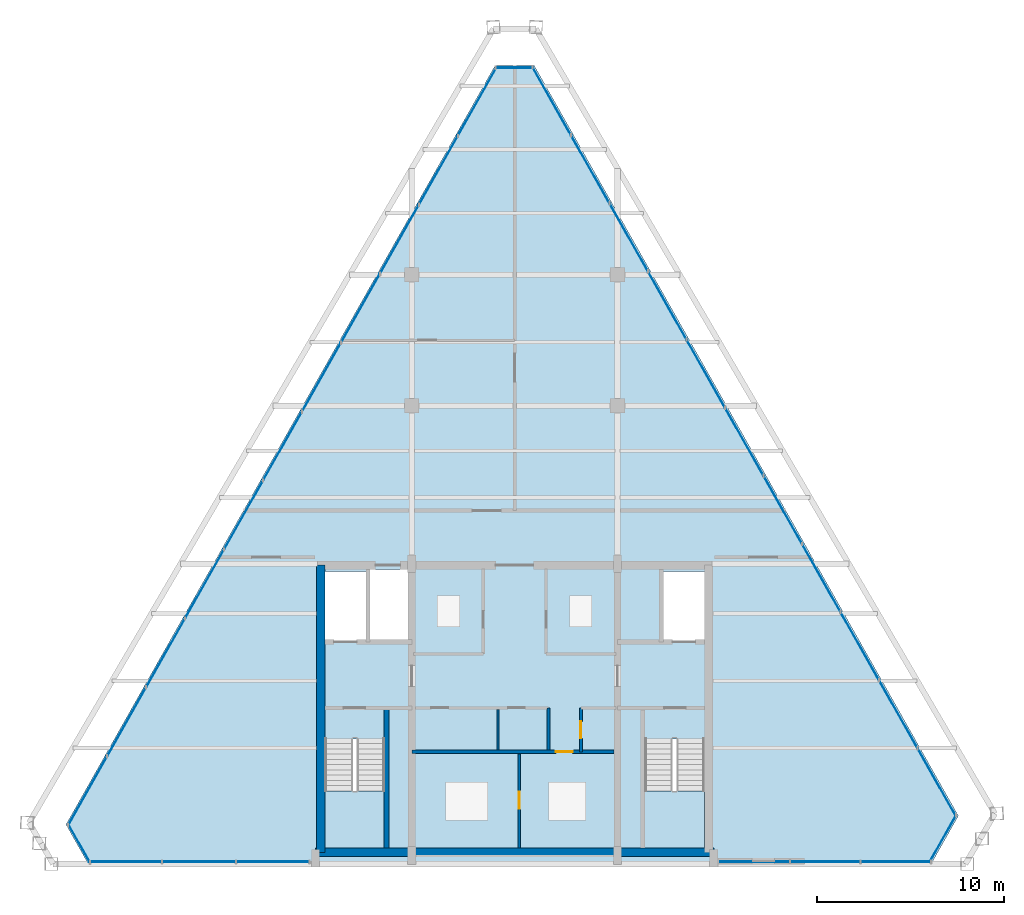
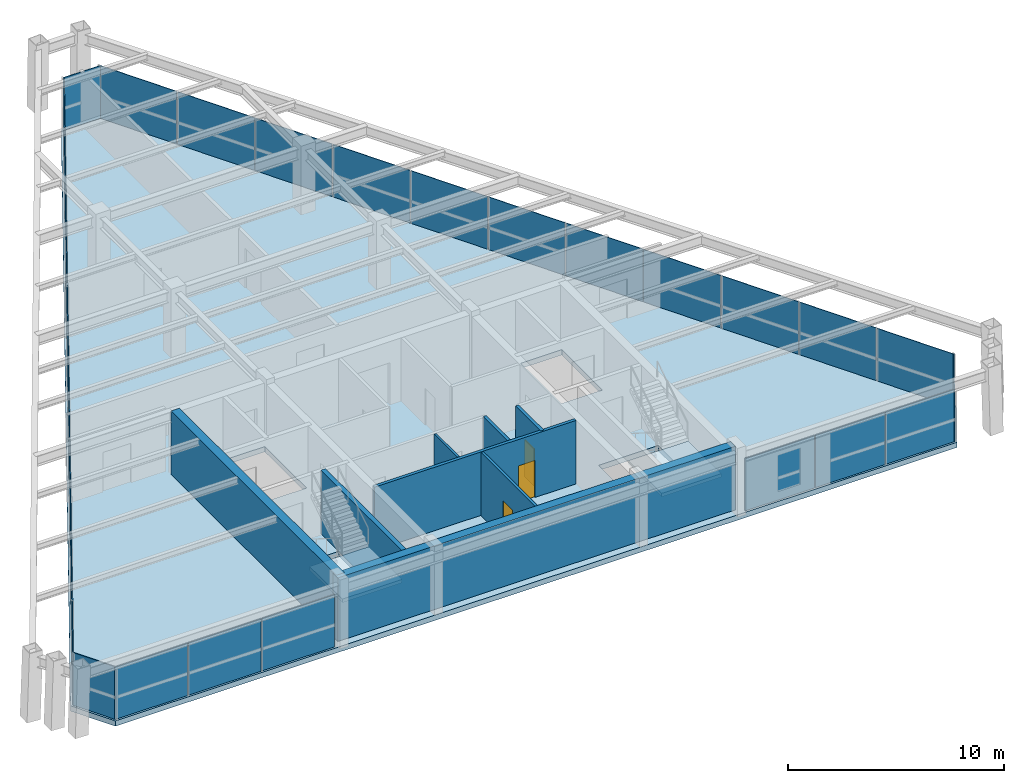
# One storey, part 9 of 12: 31 plates, 8 walls, 3 doors, 3 slabs, 3 openings, 9 elements without a shape of their own.
"""IFC4 building model written with IfcOpenShell, lengths in metres."""

import ifcopenshell
import ifcopenshell.guid

model = None  # the IFC model being written
_history = None  # IfcOwnerHistory: only IFC2X3 demands one
_inside = {}  # id of a spatial element -> (the spatial element, [elements in it])
_under = {}  # id of a project, library or spatial element -> (it, [spatial elements below it])
_declared = {}  # id of a project -> (the project, [libraries it declares])
_typed = {}  # id of a type object -> (the type object, [elements of that type])
_made_of = {}  # id of a material, layer set ... -> (it, [elements and type objects made of it])


def new_model(schema):
    """Start an empty IFC model of exactly this schema.

    Asked for "IFC4X3", IfcOpenShell would pick the latest addendum, in which some entities
    have other attributes; the version numbers below select the first issue.
    IFC2X3 requires an IfcOwnerHistory on every rooted entity: one is made here for all.
    """
    global model, _history
    if schema == "IFC4X3":
        model = ifcopenshell.file(schema_version=(4, 3, 0, 0))
    else:
        model = ifcopenshell.file(schema=schema)
    _inside.clear()
    _under.clear()
    _declared.clear()
    _typed.clear()
    _made_of.clear()
    _history = None
    if model.schema == "IFC2X3":
        org = make("IfcOrganization", Name="unknown")
        user = make(
            "IfcPersonAndOrganization",
            ThePerson=make("IfcPerson", FamilyName="unknown"),
            TheOrganization=org,
        )
        app = make(
            "IfcApplication",
            ApplicationDeveloper=org,
            Version="unknown",
            ApplicationFullName="unknown",
            ApplicationIdentifier="unknown",
        )
        _history = make(
            "IfcOwnerHistory",
            OwningUser=user,
            OwningApplication=app,
            ChangeAction="ADDED",
            CreationDate=0,
        )
    return model


def make(cls, **values):
    """One entity of the class cls with the attributes given. An attribute that is None is left unset."""
    return model.create_entity(
        cls, **{name: value for name, value in values.items() if value is not None}
    )


def rooted(cls, **values):
    """An entity with a GlobalId (a new one), such as an element, a storey or a relation."""
    return make(cls, GlobalId=ifcopenshell.guid.new(), OwnerHistory=_history, **values)


def si_unit(unit_type, name, prefix=None):
    """IfcSIUnit, for example si_unit("LENGTHUNIT", "METRE", prefix="MILLI")."""
    return make("IfcSIUnit", UnitType=unit_type, Prefix=prefix, Name=name)


def assignment(units):
    """IfcUnitAssignment: the units of a project."""
    return None if units is None else make("IfcUnitAssignment", Units=units)


def point(xyz):
    """IfcCartesianPoint."""
    return None if xyz is None else make("IfcCartesianPoint", Coordinates=xyz)


def direction(xyz):
    """IfcDirection."""
    return None if xyz is None else make("IfcDirection", DirectionRatios=xyz)


def frame(location, z_axis=None, x_axis=None):
    """IfcAxis2Placement3D, a coordinate frame: its origin and axes. An axis left out is left unset."""
    return make(
        "IfcAxis2Placement3D",
        Location=point(location),
        Axis=direction(z_axis),
        RefDirection=direction(x_axis),
    )


def frame_2d(location, x_axis=None):
    """IfcAxis2Placement2D, a coordinate frame in the plane: its origin and x axis."""
    return make(
        "IfcAxis2Placement2D", Location=point(location), RefDirection=direction(x_axis)
    )


def origin():
    """The frame at (0, 0, 0) with its axes left unset."""
    return frame((0.0, 0.0, 0.0))


def origin_2d():
    """The frame at (0, 0) in the plane with its x axis left unset."""
    return frame_2d((0.0, 0.0))


def place(relative_to, where):
    """IfcLocalPlacement: puts the frame where relative to a parent placement (None: the world)."""
    return make(
        "IfcLocalPlacement", PlacementRelTo=relative_to, RelativePlacement=where
    )


def context(
    kind, dimensions, precision=None, world=None, true_north=None, identifier=None
):
    """IfcGeometricRepresentationContext, for example the 3D "Model" context."""
    return make(
        "IfcGeometricRepresentationContext",
        ContextIdentifier=identifier,
        ContextType=kind,
        CoordinateSpaceDimension=dimensions,
        Precision=precision,
        WorldCoordinateSystem=world,
        TrueNorth=true_north,
    )


def subcontext(parent, identifier, kind, view, scale=None):
    """IfcGeometricRepresentationSubContext, for example "Body" below "Model"."""
    return make(
        "IfcGeometricRepresentationSubContext",
        ContextIdentifier=identifier,
        ContextType=kind,
        ParentContext=parent,
        TargetScale=scale,
        TargetView=view,
    )


def project(units=None, contexts=None):
    """IfcProject with its units and contexts."""
    return rooted(
        "IfcProject",
        Name="project",
        RepresentationContexts=contexts,
        UnitsInContext=assignment(units),
    )


def spatial(cls, under=None, at=None, **own):
    """A site, building, storey or space (cls), placed at a placement, below another one or the project."""
    s = rooted(cls, ObjectPlacement=at, **own)
    if under is not None:
        _under.setdefault(under.id(), (under, []))[1].append(s)
    return s


def polyline(points):
    """IfcPolyline through the points."""
    return make("IfcPolyline", Points=[point(p) for p in points])


def profile(cls, at=None, kind="AREA", **sizes):
    """A parametric profile (cls). Its sizes go by their IFC names, for example OverallWidth=200.0."""
    return make(cls, ProfileType=kind, Position=at, **sizes)


def rectangle(**sizes):
    """IfcRectangleProfileDef."""
    return profile("IfcRectangleProfileDef", **sizes)


def outline(outer, holes=None, kind="AREA"):
    """IfcArbitraryClosedProfileDef: a profile drawn as a closed curve; with holes, ...WithVoids."""
    if holes is None:
        return make("IfcArbitraryClosedProfileDef", ProfileType=kind, OuterCurve=outer)
    return make(
        "IfcArbitraryProfileDefWithVoids",
        ProfileType=kind,
        OuterCurve=outer,
        InnerCurves=holes,
    )


def extrude(swept, where, along, depth):
    """IfcExtrudedAreaSolid: the profile swept, set in the frame where, extruded along a direction by depth."""
    return make(
        "IfcExtrudedAreaSolid",
        SweptArea=swept,
        Position=where,
        ExtrudedDirection=direction(along),
        Depth=depth,
    )


def shape(context_of_items, identifier, shape_type, items):
    """IfcShapeRepresentation: the items that make up one representation, for example the "Body"."""
    return make(
        "IfcShapeRepresentation",
        ContextOfItems=context_of_items,
        RepresentationIdentifier=identifier,
        RepresentationType=shape_type,
        Items=items,
    )


def source(mapping_origin, context_of_items, identifier, shape_type, items):
    """IfcRepresentationMap: a shape defined once, which mapped items show again and again."""
    return make(
        "IfcRepresentationMap",
        MappingOrigin=mapping_origin,
        MappedRepresentation=shape(context_of_items, identifier, shape_type, items),
    )


def transform(
    local_origin,
    x_axis=None,
    y_axis=None,
    z_axis=None,
    scale=None,
    scale2=None,
    scale3=None,
    uniform=True,
):
    """IfcCartesianTransformationOperator3D, or its non-uniform kind. x_axis, y_axis, z_axis: its Axis1, 2, 3."""
    if uniform:
        return make(
            "IfcCartesianTransformationOperator3D",
            Axis1=direction(x_axis),
            Axis2=direction(y_axis),
            LocalOrigin=point(local_origin),
            Scale=scale,
            Axis3=direction(z_axis),
        )
    return make(
        "IfcCartesianTransformationOperator3DnonUniform",
        Axis1=direction(x_axis),
        Axis2=direction(y_axis),
        LocalOrigin=point(local_origin),
        Scale=scale,
        Axis3=direction(z_axis),
        Scale2=scale2,
        Scale3=scale3,
    )


def mapped(mapping_source, mapping_target):
    """IfcMappedItem: shows the shape of a source again, moved by a transform."""
    return make(
        "IfcMappedItem", MappingSource=mapping_source, MappingTarget=mapping_target
    )


def material(Name=None, Category=None):
    """IfcMaterial."""
    return make("IfcMaterial", Name=Name, Category=Category)


def layer(
    of_material, thickness, ventilated=None, Name=None, Category=None, Priority=None
):
    """IfcMaterialLayer: one layer of a wall or slab, of a material (None: an air gap)."""
    return make(
        "IfcMaterialLayer",
        Material=of_material,
        LayerThickness=thickness,
        IsVentilated=ventilated,
        Name=Name,
        Category=Category,
        Priority=Priority,
    )


def layer_set(layers, Name=None):
    """IfcMaterialLayerSet."""
    return make("IfcMaterialLayerSet", MaterialLayers=layers, LayerSetName=Name)


def made_of(thing, what):
    """Note that an element or type object is made of a material, layer set ...; save() writes the relation."""
    if what is not None:
        _made_of.setdefault(what.id(), (what, []))[1].append(thing)
    return thing


def type_object(cls, material=None, **own):
    """A type object (cls), such as IfcWallType, which elements share."""
    return made_of(rooted(cls, **own), material)


def type_shapes(of_type, sources):
    """Give a type object the sources (RepresentationMaps) that its elements show as mapped items."""
    of_type.RepresentationMaps = sources


def element(
    cls,
    number,
    at=None,
    inside=None,
    cuts=None,
    type_object=None,
    material=None,
    context=None,
    identifier="Body",
    shape_type=None,
    held_by="IfcProductDefinitionShape",
    body=None,
    shapes=None,
    **own,
):
    """One element of the class cls, such as IfcWall. Its Tag is "e" and its number.

    at: its placement. inside: the storey or other place that contains it. cuts: it is an
    opening in that element (IfcRelVoidsElement). A single representation is given by context,
    identifier, shape_type and body (its items); several are given by shapes. held_by: the class
    of the entity that holds the representations. save() writes the other relations.
    """
    e = rooted(cls, Tag="e%d" % number, ObjectPlacement=at, **own)
    if body is not None:
        shapes = [shape(context, identifier, shape_type, body)]
    if shapes is not None:
        e.Representation = make(held_by, Representations=shapes)
    if inside is not None:
        _inside.setdefault(inside.id(), (inside, []))[1].append(e)
    if cuts is not None:
        rooted(
            "IfcRelVoidsElement", RelatingBuildingElement=cuts, RelatedOpeningElement=e
        )
    if type_object is not None:
        _typed.setdefault(type_object.id(), (type_object, []))[1].append(e)
    return made_of(e, material)


def fill(opening, filler):
    """IfcRelFillsElement: the door or window that sits in an opening."""
    return rooted(
        "IfcRelFillsElement",
        RelatingOpeningElement=opening,
        RelatedBuildingElement=filler,
    )


def aggregate(whole, parts):
    """IfcRelAggregates: a whole, such as a stair, and the parts it consists of."""
    return rooted("IfcRelAggregates", RelatingObject=whole, RelatedObjects=parts)


def save(model, path):
    """Write the relations noted so far, then the file.

    IfcRelAggregates (storeys below a building ...), IfcRelContainedInSpatialStructure (elements
    in a storey), IfcRelDefinesByType, IfcRelAssociatesMaterial and IfcRelDeclares: one each for
    every whole, place, type object, material and project.
    """
    for whole, parts in _under.values():
        aggregate(whole, parts)
    for where, things in _inside.values():
        rooted(
            "IfcRelContainedInSpatialStructure",
            RelatedElements=things,
            RelatingStructure=where,
        )
    for kind, things in _typed.values():
        rooted("IfcRelDefinesByType", RelatedObjects=things, RelatingType=kind)
    for what, things in _made_of.values():
        rooted("IfcRelAssociatesMaterial", RelatedObjects=things, RelatingMaterial=what)
    for by, libraries in _declared.values():
        rooted("IfcRelDeclares", RelatingContext=by, RelatedDefinitions=libraries)
    model.write(path)


model = new_model("IFC4")

# Units and contexts
model_context = context("Model", 3, precision=1e-05, world=origin(), true_north=direction((0.0, 1.0)))
body_context = subcontext(model_context, "Body", "Model", "MODEL_VIEW")
ifc_project = project(units=[si_unit("LENGTHUNIT", "METRE"), si_unit("AREAUNIT", "SQUARE_METRE"), si_unit("VOLUMEUNIT", "CUBIC_METRE"), si_unit("PLANEANGLEUNIT", "RADIAN"), si_unit("MASSUNIT", "GRAM", prefix="KILO")], contexts=[model_context])

# Site, building, storey
site_placement = place(None, origin())
site = spatial("IfcSite", under=ifc_project, at=site_placement, CompositionType="ELEMENT")
building_placement = place(site_placement, origin())
building = spatial("IfcBuilding", under=site, at=building_placement, Name="Varnakhor Terracotta Tower", CompositionType="ELEMENT")
storey_placement = place(building_placement, frame((0.0, 0.0, 317.5)))
storey = spatial("IfcBuildingStorey", under=building, at=storey_placement, Name="L83 Crown", CompositionType="ELEMENT", Elevation=317.5)

# Stair, slab
ifc_material_1 = material(Name="Concrete C40/50", Category="concrete")
stair_type = type_object("IfcStairType", Name="STR-CORE-HOTEL-1500", PredefinedType="HALF_TURN_STAIR", material=ifc_material_1)
stair_1_placement = place(storey_placement, origin())
stair_1 = element("IfcStair", 1, at=stair_1_placement, inside=storey, type_object=stair_type, Name="L83 Crown Core Exit Stair ST-1", PredefinedType="HALF_TURN_STAIR")
ifc_layer_1 = layer(ifc_material_1, 0.179931640625, Name="Concrete C40/50")
ifc_layer_set_1 = layer_set([ifc_layer_1], Name="Concrete C40/50")
slab_type_1 = type_object("IfcSlabType", Name="SLB-LANDING-180", PredefinedType="LANDING", material=ifc_layer_set_1)
slab_1_placement = place(storey_placement, frame((0.0, 0.0, 1.75)))
slab_1 = element("IfcSlab", 2, at=slab_1_placement, type_object=slab_type_1, Name="ST-1 landing 1", PredefinedType="LANDING", context=body_context, shape_type="SweptSolid", body=[
    extrude(outline(polyline([(-10.14990234375, 3.909912109375), (-10.14990234375, 0.85009765625), (-6.949951171875, 0.85009765625), (-6.949951171875, 3.909912109375), (-10.14990234375, 3.909912109375)])), origin(), (0.0, 0.0, 1.0), 0.199951171875),
])
aggregate(stair_1, [slab_1])

stair_2_placement = place(storey_placement, origin())
stair_2 = element("IfcStair", 3, at=stair_2_placement, inside=storey, type_object=stair_type, Name="L83 Crown Core Exit Stair ST-2", PredefinedType="HALF_TURN_STAIR")
slab_2_placement = place(storey_placement, frame((0.0, 0.0, 1.75)))
slab_2 = element("IfcSlab", 4, at=slab_2_placement, type_object=slab_type_1, Name="ST-2 landing 1", PredefinedType="LANDING", context=body_context, shape_type="SweptSolid", body=[
    extrude(outline(polyline([(6.949951171875, 3.909912109375), (6.949951171875, 0.85009765625), (10.14990234375, 0.85009765625), (10.14990234375, 3.909912109375), (6.949951171875, 3.909912109375)])), origin(), (0.0, 0.0, 1.0), 0.199951171875),
])
aggregate(stair_2, [slab_2])

# Slab
ifc_layer_2 = layer(ifc_material_1, 0.300048828125, Name="Concrete C40/50")
ifc_layer_set_2 = layer_set([ifc_layer_2], Name="Concrete C40/50")
slab_type_2 = type_object("IfcSlabType", Name="SLB-PLANT-300", PredefinedType="FLOOR", material=ifc_layer_set_2)
slab_3_placement = place(storey_placement, frame((0.0, 0.0, -0.300048828125)))
element("IfcSlab", 5, at=slab_3_placement, inside=storey, type_object=slab_type_2, Name="L83 Crown Structural Floor Slab", PredefinedType="FLOOR", context=body_context, shape_type="SweptSolid", body=[
    extrude(outline(polyline([(-1.045166015625, 42.7041015625), (1.045166015625, 42.7041015625), (23.72998046875, 2.572998046875), (22.275634765625, 0.0), (-22.8046875, 0.0), (-23.99462890625, 2.10498046875), (-1.045166015625, 42.7041015625)]), holes=[polyline([(-6.949951171875, 6.695068359375), (-10.14990234375, 6.695068359375), (-10.14990234375, 0.85009765625), (-6.949951171875, 0.85009765625), (-6.949951171875, 6.695068359375)]), polyline([(10.14990234375, 6.695068359375), (6.949951171875, 6.695068359375), (6.949951171875, 0.85009765625), (10.14990234375, 0.85009765625), (10.14990234375, 6.695068359375)]), polyline([(-7.949951171875, 15.64990234375), (-10.14990234375, 15.64990234375), (-10.14990234375, 11.8798828125), (-7.949951171875, 11.8798828125), (-7.949951171875, 15.64990234375)]), polyline([(10.14990234375, 11.8798828125), (10.14990234375, 15.64990234375), (7.949951171875, 15.64990234375), (7.949951171875, 11.8798828125), (10.14990234375, 11.8798828125)]), polyline([(-5.699951171875, 11.8798828125), (-5.699951171875, 15.75), (-7.72998046875, 15.75), (-7.72998046875, 11.8798828125), (-5.699951171875, 11.8798828125)])]), origin(), (0.0, 0.0, 1.0), 0.300048828125),
])

# Curtain wall, plates
ifc_material_2 = material(Name="Anodised Aluminium Curtain Wall System", Category="aluminium")
curtain_wall_type = type_object("IfcCurtainWallType", Name="CW-SYS-CROWN", PredefinedType="NOTDEFINED", material=ifc_material_2)
curtain_wall_1_placement = place(storey_placement, origin())
curtain_wall_1 = element("IfcCurtainWall", 6, at=curtain_wall_1_placement, inside=storey, type_object=curtain_wall_type, Name="L83 Crown Facet Curtain Wall 1", PredefinedType="NOTDEFINED")
ifc_material_3 = material(Name="Solar-Control Low-E Insulated Glass Panel", Category="glass")
ifc_layer_3 = layer(ifc_material_3, 0.0400390625, Name="Solar-Control Low-E Insulated Glass Panel")
ifc_layer_set_3 = layer_set([ifc_layer_3], Name="Solar-Control Low-E Insulated Glass Panel")
plate_type = type_object("IfcPlateType", Name="CWP-06", PredefinedType="CURTAIN_PANEL", material=ifc_layer_set_3)
shared_shape_1 = source(origin(), body_context, "Body", "SweptSolid", [
    extrude(rectangle(XDim=4.194091796875, YDim=0.035888671875, at=origin_2d()), origin(), (0.0, 0.0, 1.0), 2.97998046875),
])
plate_1_placement = place(storey_placement, frame((-22.83349609375, 3.915283203125, 0.0), z_axis=(0.0, 0.0, 1.0), x_axis=(0.492089331215, 0.870544708849, 0.0)))
plate_1 = element("IfcPlate", 7, at=plate_1_placement, type_object=plate_type, Name="L83 Crown Facet Curtain Wall 1 Glazed Panel 1", PredefinedType="CURTAIN_PANEL", context=body_context, shape_type="MappedRepresentation", body=[
    mapped(shared_shape_1, transform((0.0, 0.0, 0.0), scale=1.0)),
])
plate_2_placement = place(storey_placement, frame((-20.75, 7.601318359375, 0.0), z_axis=(0.0, 0.0, 1.0), x_axis=(0.492089331215, 0.870544708849, 0.0)))
plate_2 = element("IfcPlate", 8, at=plate_2_placement, type_object=plate_type, Name="L83 Crown Facet Curtain Wall 1 Glazed Panel 2", PredefinedType="CURTAIN_PANEL", context=body_context, shape_type="MappedRepresentation", body=[
    mapped(shared_shape_1, transform((0.0, 0.0, 0.0), scale=1.0)),
])
plate_3_placement = place(storey_placement, frame((-18.666259765625, 11.287353515625, 0.0), z_axis=(0.0, 0.0, 1.0), x_axis=(0.492089331215, 0.870544708849, 0.0)))
plate_3 = element("IfcPlate", 9, at=plate_3_placement, type_object=plate_type, Name="L83 Crown Facet Curtain Wall 1 Glazed Panel 3", PredefinedType="CURTAIN_PANEL", context=body_context, shape_type="MappedRepresentation", body=[
    mapped(shared_shape_1, transform((0.0, 0.0, 0.0), scale=1.0)),
])
plate_4_placement = place(storey_placement, frame((-16.582763671875, 14.973388671875, 0.0), z_axis=(0.0, 0.0, 1.0), x_axis=(0.492089331215, 0.870544708849, 0.0)))
plate_4 = element("IfcPlate", 10, at=plate_4_placement, type_object=plate_type, Name="L83 Crown Facet Curtain Wall 1 Glazed Panel 4", PredefinedType="CURTAIN_PANEL", context=body_context, shape_type="MappedRepresentation", body=[
    mapped(shared_shape_1, transform((0.0, 0.0, 0.0), scale=1.0)),
])
plate_5_placement = place(storey_placement, frame((-12.415283203125, 22.345458984375, 0.0), z_axis=(0.0, 0.0, 1.0), x_axis=(0.492089331215, 0.870544708849, 0.0)))
plate_5 = element("IfcPlate", 11, at=plate_5_placement, type_object=plate_type, Name="L83 Crown Facet Curtain Wall 1 Glazed Panel 6", PredefinedType="CURTAIN_PANEL", context=body_context, shape_type="MappedRepresentation", body=[
    mapped(shared_shape_1, transform((0.0, 0.0, 0.0), scale=1.0)),
])
plate_6_placement = place(storey_placement, frame((-10.331787109375, 26.031494140625, 0.0), z_axis=(0.0, 0.0, 1.0), x_axis=(0.492089331215, 0.870544708849, 0.0)))
plate_6 = element("IfcPlate", 12, at=plate_6_placement, type_object=plate_type, Name="L83 Crown Facet Curtain Wall 1 Glazed Panel 7", PredefinedType="CURTAIN_PANEL", context=body_context, shape_type="MappedRepresentation", body=[
    mapped(shared_shape_1, transform((0.0, 0.0, 0.0), scale=1.0)),
])
plate_7_placement = place(storey_placement, frame((-8.248291015625, 29.717529296875, 0.0), z_axis=(0.0, 0.0, 1.0), x_axis=(0.492089331215, 0.870544708849, 0.0)))
plate_7 = element("IfcPlate", 13, at=plate_7_placement, type_object=plate_type, Name="L83 Crown Facet Curtain Wall 1 Glazed Panel 8", PredefinedType="CURTAIN_PANEL", context=body_context, shape_type="MappedRepresentation", body=[
    mapped(shared_shape_1, transform((0.0, 0.0, 0.0), scale=1.0)),
])
plate_8_placement = place(storey_placement, frame((-6.16455078125, 33.40380859375, 0.0), z_axis=(0.0, 0.0, 1.0), x_axis=(0.492089331215, 0.870544708849, 0.0)))
plate_8 = element("IfcPlate", 14, at=plate_8_placement, type_object=plate_type, Name="L83 Crown Facet Curtain Wall 1 Glazed Panel 9", PredefinedType="CURTAIN_PANEL", context=body_context, shape_type="MappedRepresentation", body=[
    mapped(shared_shape_1, transform((0.0, 0.0, 0.0), scale=1.0)),
])
plate_9_placement = place(storey_placement, frame((-4.080810546875, 37.089599609375, 0.0), z_axis=(0.0, 0.0, 1.0), x_axis=(0.492089331215, 0.870544708849, 0.0)))
plate_9 = element("IfcPlate", 15, at=plate_9_placement, type_object=plate_type, Name="L83 Crown Facet Curtain Wall 1 Glazed Panel 10", PredefinedType="CURTAIN_PANEL", context=body_context, shape_type="MappedRepresentation", body=[
    mapped(shared_shape_1, transform((0.0, 0.0, 0.0), scale=1.0)),
])
plate_10_placement = place(storey_placement, frame((-1.997314453125, 40.77587890625, 0.0), z_axis=(0.0, 0.0, 1.0), x_axis=(0.492089331215, 0.870544708849, 0.0)))
plate_10 = element("IfcPlate", 16, at=plate_10_placement, type_object=plate_type, Name="L83 Crown Facet Curtain Wall 1 Glazed Panel 11", PredefinedType="CURTAIN_PANEL", context=body_context, shape_type="MappedRepresentation", body=[
    mapped(shared_shape_1, transform((0.0, 0.0, 0.0), scale=1.0)),
])
shared_shape_2 = source(origin(), body_context, "Body", "SweptSolid", [
    extrude(rectangle(XDim=4.1943359375, YDim=0.035888671875, at=origin_2d()), origin(), (0.0, 0.0, 1.0), 2.97998046875),
])
plate_11_placement = place(storey_placement, frame((-14.4990234375, 18.659423828125, 0.0), z_axis=(0.0, 0.0, 1.0), x_axis=(0.492089331215, 0.870544708849, 0.0)))
plate_11 = element("IfcPlate", 17, at=plate_11_placement, type_object=plate_type, Name="L83 Crown Facet Curtain Wall 1 Glazed Panel 5", PredefinedType="CURTAIN_PANEL", context=body_context, shape_type="MappedRepresentation", body=[
    mapped(shared_shape_2, transform((0.0, 0.0, 0.0), scale=1.0)),
])
aggregate(curtain_wall_1, [plate_1, plate_2, plate_3, plate_4, plate_11, plate_5, plate_6, plate_7, plate_8, plate_9, plate_10])

# Curtain wall, plate
curtain_wall_2_placement = place(storey_placement, origin())
curtain_wall_2 = element("IfcCurtainWall", 18, at=curtain_wall_2_placement, inside=storey, type_object=curtain_wall_type, Name="L83 Crown Facet Curtain Wall 2", PredefinedType="NOTDEFINED")
shared_shape_3 = source(origin(), body_context, "Body", "SweptSolid", [
    extrude(rectangle(XDim=1.990478515625, YDim=0.035888671875, at=origin_2d()), origin(), (0.0, 0.0, 1.0), 2.97998046875),
])
plate_12_placement = place(storey_placement, frame((0.0, 42.583984375, 0.0), z_axis=(0.0, 0.0, 1.0), x_axis=(1.0, 0.0, 0.0)))
plate_12 = element("IfcPlate", 19, at=plate_12_placement, type_object=plate_type, Name="L83 Crown Facet Curtain Wall 2 Glazed Panel 1", PredefinedType="CURTAIN_PANEL", context=body_context, shape_type="MappedRepresentation", body=[
    mapped(shared_shape_3, transform((0.0, 0.0, 0.0), scale=1.0)),
])
aggregate(curtain_wall_2, [plate_12])

# Curtain wall, plates
curtain_wall_3_placement = place(storey_placement, origin())
curtain_wall_3 = element("IfcCurtainWall", 20, at=curtain_wall_3_placement, inside=storey, type_object=curtain_wall_type, Name="L83 Crown Facet Curtain Wall 3", PredefinedType="NOTDEFINED")
shared_shape_4 = source(origin(), body_context, "Body", "SweptSolid", [
    extrude(rectangle(XDim=4.145263671875, YDim=0.035888671875, at=origin_2d()), origin(), (0.0, 0.0, 1.0), 2.97998046875),
])
plate_13_placement = place(storey_placement, frame((1.9853515625, 40.797119140625, 0.0), z_axis=(0.0, 0.0, 1.0), x_axis=(0.492089331215, -0.870544708849, 0.0)))
plate_13 = element("IfcPlate", 21, at=plate_13_placement, type_object=plate_type, Name="L83 Crown Facet Curtain Wall 3 Glazed Panel 1", PredefinedType="CURTAIN_PANEL", context=body_context, shape_type="MappedRepresentation", body=[
    mapped(shared_shape_4, transform((0.0, 0.0, 0.0), scale=1.0)),
])
plate_14_placement = place(storey_placement, frame((4.044921875, 37.153564453125, 0.0), z_axis=(0.0, 0.0, 1.0), x_axis=(0.492089331215, -0.870544708849, 0.0)))
plate_14 = element("IfcPlate", 22, at=plate_14_placement, type_object=plate_type, Name="L83 Crown Facet Curtain Wall 3 Glazed Panel 2", PredefinedType="CURTAIN_PANEL", context=body_context, shape_type="MappedRepresentation", body=[
    mapped(shared_shape_4, transform((0.0, 0.0, 0.0), scale=1.0)),
])
plate_15_placement = place(storey_placement, frame((8.1640625, 29.866455078125, 0.0), z_axis=(0.0, 0.0, 1.0), x_axis=(0.492089331215, -0.870544708849, 0.0)))
plate_15 = element("IfcPlate", 23, at=plate_15_placement, type_object=plate_type, Name="L83 Crown Facet Curtain Wall 3 Glazed Panel 4", PredefinedType="CURTAIN_PANEL", context=body_context, shape_type="MappedRepresentation", body=[
    mapped(shared_shape_4, transform((0.0, 0.0, 0.0), scale=1.0)),
])
plate_16_placement = place(storey_placement, frame((10.2236328125, 26.222900390625, 0.0), z_axis=(0.0, 0.0, 1.0), x_axis=(0.492089331215, -0.870544708849, 0.0)))
plate_16 = element("IfcPlate", 24, at=plate_16_placement, type_object=plate_type, Name="L83 Crown Facet Curtain Wall 3 Glazed Panel 5", PredefinedType="CURTAIN_PANEL", context=body_context, shape_type="MappedRepresentation", body=[
    mapped(shared_shape_4, transform((0.0, 0.0, 0.0), scale=1.0)),
])
plate_17_placement = place(storey_placement, frame((14.3427734375, 18.935791015625, 0.0), z_axis=(0.0, 0.0, 1.0), x_axis=(0.492089331215, -0.870544708849, 0.0)))
plate_17 = element("IfcPlate", 25, at=plate_17_placement, type_object=plate_type, Name="L83 Crown Facet Curtain Wall 3 Glazed Panel 7", PredefinedType="CURTAIN_PANEL", context=body_context, shape_type="MappedRepresentation", body=[
    mapped(shared_shape_4, transform((0.0, 0.0, 0.0), scale=1.0)),
])
plate_18_placement = place(storey_placement, frame((16.40234375, 15.292236328125, 0.0), z_axis=(0.0, 0.0, 1.0), x_axis=(0.492089331215, -0.870544708849, 0.0)))
plate_18 = element("IfcPlate", 26, at=plate_18_placement, type_object=plate_type, Name="L83 Crown Facet Curtain Wall 3 Glazed Panel 8", PredefinedType="CURTAIN_PANEL", context=body_context, shape_type="MappedRepresentation", body=[
    mapped(shared_shape_4, transform((0.0, 0.0, 0.0), scale=1.0)),
])
plate_19_placement = place(storey_placement, frame((20.521484375, 8.00537109375, 0.0), z_axis=(0.0, 0.0, 1.0), x_axis=(0.492089331215, -0.870544708849, 0.0)))
plate_19 = element("IfcPlate", 27, at=plate_19_placement, type_object=plate_type, Name="L83 Crown Facet Curtain Wall 3 Glazed Panel 10", PredefinedType="CURTAIN_PANEL", context=body_context, shape_type="MappedRepresentation", body=[
    mapped(shared_shape_4, transform((0.0, 0.0, 0.0), scale=1.0)),
])
plate_20_placement = place(storey_placement, frame((22.5810546875, 4.36181640625, 0.0), z_axis=(0.0, 0.0, 1.0), x_axis=(0.492089331215, -0.870544708849, 0.0)))
plate_20 = element("IfcPlate", 28, at=plate_20_placement, type_object=plate_type, Name="L83 Crown Facet Curtain Wall 3 Glazed Panel 11", PredefinedType="CURTAIN_PANEL", context=body_context, shape_type="MappedRepresentation", body=[
    mapped(shared_shape_4, transform((0.0, 0.0, 0.0), scale=1.0)),
])
shared_shape_5 = source(origin(), body_context, "Body", "SweptSolid", [
    extrude(rectangle(XDim=4.1455078125, YDim=0.035888671875, at=origin_2d()), origin(), (0.0, 0.0, 1.0), 2.97998046875),
])
plate_21_placement = place(storey_placement, frame((6.1044921875, 33.510009765625, 0.0), z_axis=(0.0, 0.0, 1.0), x_axis=(0.492089331215, -0.870544708849, 0.0)))
plate_21 = element("IfcPlate", 29, at=plate_21_placement, type_object=plate_type, Name="L83 Crown Facet Curtain Wall 3 Glazed Panel 3", PredefinedType="CURTAIN_PANEL", context=body_context, shape_type="MappedRepresentation", body=[
    mapped(shared_shape_5, transform((0.0, 0.0, 0.0), scale=1.0)),
])
plate_22_placement = place(storey_placement, frame((12.283203125, 22.579345703125, 0.0), z_axis=(0.0, 0.0, 1.0), x_axis=(0.492089331215, -0.870544708849, 0.0)))
plate_22 = element("IfcPlate", 30, at=plate_22_placement, type_object=plate_type, Name="L83 Crown Facet Curtain Wall 3 Glazed Panel 6", PredefinedType="CURTAIN_PANEL", context=body_context, shape_type="MappedRepresentation", body=[
    mapped(shared_shape_5, transform((0.0, 0.0, 0.0), scale=1.0)),
])
plate_23_placement = place(storey_placement, frame((18.4619140625, 11.648681640625, 0.0), z_axis=(0.0, 0.0, 1.0), x_axis=(0.492089331215, -0.870544708849, 0.0)))
plate_23 = element("IfcPlate", 31, at=plate_23_placement, type_object=plate_type, Name="L83 Crown Facet Curtain Wall 3 Glazed Panel 9", PredefinedType="CURTAIN_PANEL", context=body_context, shape_type="MappedRepresentation", body=[
    mapped(shared_shape_5, transform((0.0, 0.0, 0.0), scale=1.0)),
])
aggregate(curtain_wall_3, [plate_13, plate_14, plate_21, plate_15, plate_16, plate_22, plate_17, plate_18, plate_23, plate_19, plate_20])

# Curtain wall, plate
curtain_wall_4_placement = place(storey_placement, origin())
curtain_wall_4 = element("IfcCurtainWall", 32, at=curtain_wall_4_placement, inside=storey, type_object=curtain_wall_type, Name="L83 Crown Facet Curtain Wall 4", PredefinedType="NOTDEFINED")
shared_shape_6 = source(origin(), body_context, "Body", "SweptSolid", [
    extrude(rectangle(XDim=2.85546875, YDim=0.035888671875, at=origin_2d()), origin(), (0.0, 0.0, 1.0), 2.97998046875),
])
plate_24_placement = place(storey_placement, frame((22.8984375, 1.345458984375, 0.0), z_axis=(0.0, 0.0, 1.0), x_axis=(-0.492089331215, -0.870544708849, 0.0)))
plate_24 = element("IfcPlate", 33, at=plate_24_placement, type_object=plate_type, Name="L83 Crown Facet Curtain Wall 4 Glazed Panel 1", PredefinedType="CURTAIN_PANEL", context=body_context, shape_type="MappedRepresentation", body=[
    mapped(shared_shape_6, transform((0.0, 0.0, 0.0), scale=1.0)),
])
aggregate(curtain_wall_4, [plate_24])

# Curtain wall, plates
curtain_wall_5_placement = place(storey_placement, origin())
curtain_wall_5 = element("IfcCurtainWall", 34, at=curtain_wall_5_placement, inside=storey, type_object=curtain_wall_type, Name="L83 Crown South Wing Curtain Wall SSE", PredefinedType="NOTDEFINED")
shared_shape_7 = source(origin(), body_context, "Body", "SweptSolid", [
    extrude(rectangle(XDim=3.72509765625, YDim=0.035888671875, at=origin_2d()), origin(), (0.0, 0.0, 1.0), 2.97998046875),
])
plate_25_placement = place(storey_placement, frame((20.383056640625, 0.1201171875, 0.0), z_axis=(0.0, 0.0, 1.0), x_axis=(-1.0, 0.0, 0.0)))
plate_25 = element("IfcPlate", 35, at=plate_25_placement, type_object=plate_type, Name="L83 Crown South Wing Curtain Wall SSE Glazed Panel 1", PredefinedType="CURTAIN_PANEL", context=body_context, shape_type="MappedRepresentation", body=[
    mapped(shared_shape_7, transform((0.0, 0.0, 0.0), scale=1.0)),
])
plate_26_placement = place(storey_placement, frame((12.8525390625, 0.1201171875, 0.0), z_axis=(0.0, 0.0, 1.0), x_axis=(-1.0, 0.0, 0.0)))
plate_26 = element("IfcPlate", 36, at=plate_26_placement, type_object=plate_type, Name="L83 Crown South Wing Curtain Wall SSE Glazed Panel 3", PredefinedType="CURTAIN_PANEL", context=body_context, shape_type="MappedRepresentation", body=[
    mapped(shared_shape_7, transform((0.0, 0.0, 0.0), scale=1.0)),
])
shared_shape_8 = source(origin(), body_context, "Body", "SweptSolid", [
    extrude(rectangle(XDim=3.725341796875, YDim=0.035888671875, at=origin_2d()), origin(), (0.0, 0.0, 1.0), 2.97998046875),
])
plate_27_placement = place(storey_placement, frame((16.617919921875, 0.1201171875, 0.0), z_axis=(0.0, 0.0, 1.0), x_axis=(-1.0, 0.0, 0.0)))
plate_27 = element("IfcPlate", 37, at=plate_27_placement, type_object=plate_type, Name="L83 Crown South Wing Curtain Wall SSE Glazed Panel 2", PredefinedType="CURTAIN_PANEL", context=body_context, shape_type="MappedRepresentation", body=[
    mapped(shared_shape_8, transform((0.0, 0.0, 0.0), scale=1.0)),
])
aggregate(curtain_wall_5, [plate_25, plate_27, plate_26])

curtain_wall_6_placement = place(storey_placement, origin())
curtain_wall_6 = element("IfcCurtainWall", 38, at=curtain_wall_6_placement, inside=storey, type_object=curtain_wall_type, Name="L83 Crown South Wing Curtain Wall SSW", PredefinedType="NOTDEFINED")
shared_shape_9 = source(origin(), body_context, "Body", "SweptSolid", [
    extrude(rectangle(XDim=3.901611328125, YDim=0.035888671875, at=origin_2d()), origin(), (0.0, 0.0, 1.0), 2.97998046875),
])
plate_28_placement = place(storey_placement, frame((-12.94091796875, 0.1201171875, 0.0), z_axis=(0.0, 0.0, 1.0), x_axis=(-1.0, 0.0, 0.0)))
plate_28 = element("IfcPlate", 39, at=plate_28_placement, type_object=plate_type, Name="L83 Crown South Wing Curtain Wall SSW Glazed Panel 1", PredefinedType="CURTAIN_PANEL", context=body_context, shape_type="MappedRepresentation", body=[
    mapped(shared_shape_9, transform((0.0, 0.0, 0.0), scale=1.0)),
])
plate_29_placement = place(storey_placement, frame((-16.88232421875, 0.1201171875, 0.0), z_axis=(0.0, 0.0, 1.0), x_axis=(-1.0, 0.0, 0.0)))
plate_29 = element("IfcPlate", 40, at=plate_29_placement, type_object=plate_type, Name="L83 Crown South Wing Curtain Wall SSW Glazed Panel 2", PredefinedType="CURTAIN_PANEL", context=body_context, shape_type="MappedRepresentation", body=[
    mapped(shared_shape_9, transform((0.0, 0.0, 0.0), scale=1.0)),
])
plate_30_placement = place(storey_placement, frame((-20.823974609375, 0.1201171875, 0.0), z_axis=(0.0, 0.0, 1.0), x_axis=(-1.0, 0.0, 0.0)))
plate_30 = element("IfcPlate", 41, at=plate_30_placement, type_object=plate_type, Name="L83 Crown South Wing Curtain Wall SSW Glazed Panel 3", PredefinedType="CURTAIN_PANEL", context=body_context, shape_type="MappedRepresentation", body=[
    mapped(shared_shape_9, transform((0.0, 0.0, 0.0), scale=1.0)),
])
aggregate(curtain_wall_6, [plate_28, plate_29, plate_30])

# Curtain wall, plate
curtain_wall_7_placement = place(storey_placement, origin())
curtain_wall_7 = element("IfcCurtainWall", 42, at=curtain_wall_7_placement, inside=storey, type_object=curtain_wall_type, Name="L83 Crown Facet Curtain Wall 6", PredefinedType="NOTDEFINED")
shared_shape_10 = source(origin(), body_context, "Body", "SweptSolid", [
    extrude(rectangle(XDim=2.318115234375, YDim=0.035888671875, at=origin_2d()), origin(), (0.0, 0.0, 1.0), 2.97998046875),
])
plate_31_placement = place(storey_placement, frame((-23.295166015625, 1.111572265625, 0.0), z_axis=(0.0, 0.0, 1.0), x_axis=(-0.492104525012, 0.870536120137, 0.0)))
plate_31 = element("IfcPlate", 43, at=plate_31_placement, type_object=plate_type, Name="L83 Crown Facet Curtain Wall 6 Glazed Panel 1", PredefinedType="CURTAIN_PANEL", context=body_context, shape_type="MappedRepresentation", body=[
    mapped(shared_shape_10, transform((0.0, 0.0, 0.0), scale=1.0)),
])
aggregate(curtain_wall_7, [plate_31])

# Walls
ifc_material_4 = material(Name="Concrete C50/60", Category="concrete")
ifc_layer_4 = layer(ifc_material_4, 0.449951171875, Name="Concrete C50/60")
ifc_layer_set_4 = layer_set([ifc_layer_4], Name="Concrete C50/60")
wall_type_1 = type_object("IfcWallType", Name="WAL-CORE-450", PredefinedType="SHEAR", material=ifc_layer_set_4)
wall_1_placement = place(storey_placement, frame((-10.64990234375, 0.625, 0.0), z_axis=(0.0, 0.0, 1.0), x_axis=(1.0, 0.0, 0.0)))
element("IfcWall", 44, at=wall_1_placement, inside=storey, type_object=wall_type_1, Name="L83 Crown South Core Shear Wall", PredefinedType="SHEAR", context=body_context, shape_type="SweptSolid", body=[
    extrude(rectangle(XDim=21.2998046875, YDim=0.449951171875, at=frame_2d((10.64990234375, 0.0))), origin(), (0.0, 0.0, 1.0), 3.60009765625),
])
wall_2_placement = place(storey_placement, frame((-10.375, 0.625, 0.0), z_axis=(0.0, 0.0, 1.0), x_axis=(0.0, 1.0, 0.0)))
element("IfcWall", 45, at=wall_2_placement, inside=storey, type_object=wall_type_1, Name="L83 Crown West Core Shear Wall", PredefinedType="SHEAR", context=body_context, shape_type="SweptSolid", body=[
    extrude(rectangle(XDim=15.35009765625, YDim=0.449951171875, at=frame_2d((7.675048828125, 0.0))), origin(), (0.0, 0.0, 1.0), 3.60009765625),
])
ifc_layer_5 = layer(ifc_material_1, 0.25, Name="Concrete C40/50")
ifc_layer_set_5 = layer_set([ifc_layer_5], Name="Concrete C40/50")
wall_type_2 = type_object("IfcWallType", Name="WAL-SHAFT-250", PredefinedType="SOLIDWALL", material=ifc_layer_set_5)
wall_3_placement = place(storey_placement, frame((-6.85009765625, 0.85009765625, 0.0), z_axis=(0.0, 0.0, 1.0), x_axis=(0.0, 1.0, 0.0)))
element("IfcWall", 46, at=wall_3_placement, inside=storey, type_object=wall_type_2, Name="L83 Crown Stair ST-1 Bearing Shaft Wall", PredefinedType="SOLIDWALL", context=body_context, shape_type="SweptSolid", body=[
    extrude(rectangle(XDim=7.5, YDim=0.25, at=frame_2d((3.75, 0.0))), origin(), (0.0, 0.0, 1.0), 3.60009765625),
])
ifc_material_5 = material(Name="Acoustic Fire-Rated Partition", Category="gypsum")
ifc_layer_6 = layer(ifc_material_5, 0.114990234375, Name="Acoustic Fire-Rated Partition")
ifc_layer_set_6 = layer_set([ifc_layer_6], Name="Acoustic Fire-Rated Partition")
wall_type_3 = type_object("IfcWallType", Name="WAL-TENANCY-115", PredefinedType="PARTITIONING", material=ifc_layer_set_6)
wall_4_placement = place(storey_placement, frame((-0.89990234375, 6.10009765625, 0.0), z_axis=(0.0, 0.0, 1.0), x_axis=(0.0, 1.0, 0.0)))
element("IfcWall", 47, at=wall_4_placement, inside=storey, type_object=wall_type_3, Name="L83 Crown Reclaimed Mid-Core Split Wall", PredefinedType="PARTITIONING", context=body_context, shape_type="SweptSolid", body=[
    extrude(rectangle(XDim=2.14990234375, YDim=0.114990234375, at=frame_2d((1.074951171875, 0.0))), origin(), (0.0, 0.0, 1.0), 3.592041015625),
])

# Wall, opening, door
ifc_layer_7 = layer(ifc_material_5, 0.139892578125, Name="Acoustic Fire-Rated Partition")
ifc_layer_set_7 = layer_set([ifc_layer_7], Name="Acoustic Fire-Rated Partition")
wall_type_4 = type_object("IfcWallType", Name="WAL-TENANCY-140", PredefinedType="PARTITIONING", material=ifc_layer_set_7)
wall_5_placement = place(storey_placement, frame((0.25, 0.85009765625, 0.0), z_axis=(0.0, 0.0, 1.0), x_axis=(0.0, 1.0, 0.0)))
wall_5 = element("IfcWall", 48, at=wall_5_placement, inside=storey, type_object=wall_type_4, Name="L83 Crown Reclaimed Core Bay Split Wall", PredefinedType="PARTITIONING", context=body_context, shape_type="SweptSolid", body=[
    extrude(rectangle(XDim=5.02978515625, YDim=0.139892578125, at=frame_2d((2.514892578125, 0.0))), origin(), (0.0, 0.0, 1.0), 3.592041015625),
])
opening_1_placement = place(wall_5_placement, frame((2.10009765625, 0.0, 0.0)))
opening_1 = element("IfcOpeningElement", 49, at=opening_1_placement, cuts=wall_5, Name="Opening DR-67", PredefinedType="OPENING", context=body_context, shape_type="SweptSolid", body=[
    extrude(rectangle(XDim=0.89990234375, YDim=2.10009765625, at=frame_2d((0.449951171875, 1.050048828125))), frame((0.0, 0.080078125, 0.0), z_axis=(0.0, -1.0, 0.0), x_axis=(1.0, 0.0, 0.0)), (0.0, 0.0, 1.0), 0.159912109375),
])
ifc_material_6 = material(Name="Steel Service Riser Fire Door", Category="steel")
door_type = type_object("IfcDoorType", Name="DR-RISER-900X2100", OperationType="NOTDEFINED", PredefinedType="DOOR", material=ifc_material_6)
shared_shape_11 = source(origin(), body_context, "Body", "SweptSolid", [
    extrude(rectangle(XDim=0.89990234375, YDim=2.10009765625, at=frame_2d((0.449951171875, 1.050048828125))), frame((0.0, 0.02490234375, 0.0), z_axis=(0.0, -1.0, 0.0), x_axis=(1.0, 0.0, 0.0)), (0.0, 0.0, 1.0), 0.050048828125),
])
type_shapes(door_type, [shared_shape_11])
door_1_placement = place(opening_1_placement, origin())
door_1 = element("IfcDoor", 50, at=door_1_placement, inside=storey, type_object=door_type, Name="L83 Crown Core Inner Service Door", OperationType="SINGLE_SWING_LEFT", OverallHeight=2.10009765625, OverallWidth=0.89990234375, PredefinedType="DOOR", context=body_context, shape_type="MappedRepresentation", body=[
    mapped(shared_shape_11, transform((0.0, 0.0, 0.0), scale=1.0)),
])
fill(opening_1, door_1)

ifc_layer_8 = layer(ifc_material_5, 0.1650390625, Name="Acoustic Fire-Rated Partition")
ifc_layer_set_8 = layer_set([ifc_layer_8], Name="Acoustic Fire-Rated Partition")
wall_type_5 = type_object("IfcWallType", Name="WAL-TENANCY-165", PredefinedType="PARTITIONING", material=ifc_layer_set_8)
wall_6_placement = place(storey_placement, frame((-5.5, 6.0, 0.0), z_axis=(0.0, 0.0, 1.0), x_axis=(1.0, 0.0, 0.0)))
wall_6 = element("IfcWall", 51, at=wall_6_placement, inside=storey, type_object=wall_type_5, Name="L83 Crown Reclaimed Core Bay North Rated Wall", PredefinedType="PARTITIONING", context=body_context, shape_type="SweptSolid", body=[
    extrude(rectangle(XDim=10.800048828125, YDim=0.1650390625, at=frame_2d((5.39990234375, 0.0))), origin(), (0.0, 0.0, 1.0), 3.592041015625),
])
opening_2_placement = place(wall_6_placement, frame((7.699951171875, 0.0, 0.0)))
opening_2 = element("IfcOpeningElement", 52, at=opening_2_placement, cuts=wall_6, Name="Opening DR-67", PredefinedType="OPENING", context=body_context, shape_type="SweptSolid", body=[
    extrude(rectangle(XDim=0.89990234375, YDim=2.10009765625, at=frame_2d((0.449951171875, 1.050048828125))), frame((0.0, 0.092529296875, 0.0), z_axis=(0.0, -1.0, 0.0), x_axis=(1.0, 0.0, 0.0)), (0.0, 0.0, 1.0), 0.18505859375),
])
door_2_placement = place(opening_2_placement, origin())
door_2 = element("IfcDoor", 53, at=door_2_placement, inside=storey, type_object=door_type, Name="L83 Crown Core Reclaimed Suite Door", OperationType="SINGLE_SWING_RIGHT", OverallHeight=2.10009765625, OverallWidth=0.89990234375, PredefinedType="DOOR", context=body_context, shape_type="MappedRepresentation", body=[
    mapped(shared_shape_11, transform((0.0, 0.0, 0.0), scale=1.0)),
])
fill(opening_2, door_2)

wall_7_placement = place(storey_placement, frame((3.5400390625, 6.0, 0.0), z_axis=(0.0, 0.0, 1.0), x_axis=(0.0, 1.0, 0.0)))
wall_7 = element("IfcWall", 54, at=wall_7_placement, inside=storey, type_object=wall_type_5, Name="L83 Crown Accessible WC Rated Wall", PredefinedType="PARTITIONING", context=body_context, shape_type="SweptSolid", body=[
    extrude(rectangle(XDim=2.340087890625, YDim=0.1650390625, at=frame_2d((1.169921875, 0.0))), origin(), (0.0, 0.0, 1.0), 3.592041015625),
])
opening_3_placement = place(wall_7_placement, frame((0.719970703125, 0.0, 0.0)))
opening_3 = element("IfcOpeningElement", 55, at=opening_3_placement, cuts=wall_7, Name="Opening DR-67", PredefinedType="OPENING", context=body_context, shape_type="SweptSolid", body=[
    extrude(rectangle(XDim=0.89990234375, YDim=2.10009765625, at=frame_2d((0.449951171875, 1.050048828125))), frame((0.0, 0.092529296875, 0.0), z_axis=(0.0, -1.0, 0.0), x_axis=(1.0, 0.0, 0.0)), (0.0, 0.0, 1.0), 0.18505859375),
])
door_3_placement = place(opening_3_placement, origin())
door_3 = element("IfcDoor", 56, at=door_3_placement, inside=storey, type_object=door_type, Name="L83 Crown Accessible WC Door", OperationType="SINGLE_SWING_RIGHT", OverallHeight=2.10009765625, OverallWidth=0.89990234375, PredefinedType="DOOR", context=body_context, shape_type="MappedRepresentation", body=[
    mapped(shared_shape_11, transform((0.0, 0.0, 0.0), scale=1.0)),
])
fill(opening_3, door_3)

# Wall
wall_8_placement = place(storey_placement, frame((1.800048828125, 6.10009765625, 0.0), z_axis=(0.0, 0.0, 1.0), x_axis=(0.0, 1.0, 0.0)))
element("IfcWall", 57, at=wall_8_placement, inside=storey, type_object=wall_type_5, Name="L83 Crown Reclaimed Mid-Core East Wall", PredefinedType="PARTITIONING", context=body_context, shape_type="SweptSolid", body=[
    extrude(rectangle(XDim=2.25, YDim=0.1650390625, at=frame_2d((1.125, 0.0))), origin(), (0.0, 0.0, 1.0), 3.592041015625),
])

save(model, "model.ifc")
